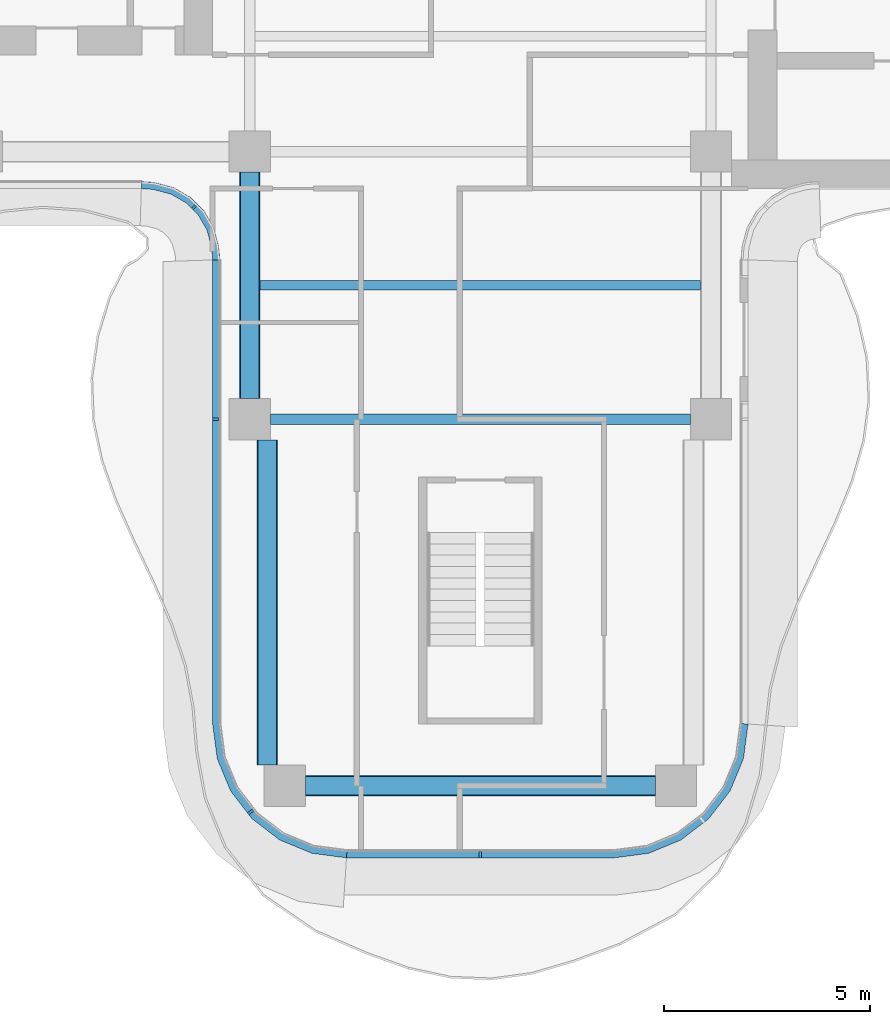
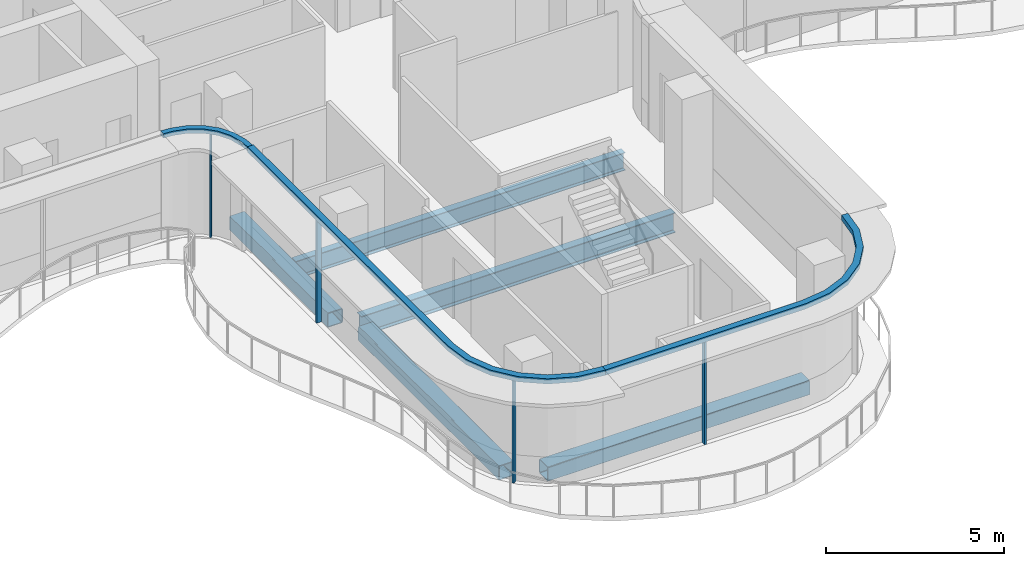
# One storey, part 2 of 17: 7 members, 5 beams, 3 elements without a shape of their own.
"""IFC4 building model written with IfcOpenShell, lengths in metres."""

import ifcopenshell
import ifcopenshell.guid

model = None  # the IFC model being written
_history = None  # IfcOwnerHistory: only IFC2X3 demands one
_inside = {}  # id of a spatial element -> (the spatial element, [elements in it])
_under = {}  # id of a project, library or spatial element -> (it, [spatial elements below it])
_declared = {}  # id of a project -> (the project, [libraries it declares])
_typed = {}  # id of a type object -> (the type object, [elements of that type])
_made_of = {}  # id of a material, layer set ... -> (it, [elements and type objects made of it])


def new_model(schema):
    """Start an empty IFC model of exactly this schema.

    Asked for "IFC4X3", IfcOpenShell would pick the latest addendum, in which some entities
    have other attributes; the version numbers below select the first issue.
    IFC2X3 requires an IfcOwnerHistory on every rooted entity: one is made here for all.
    """
    global model, _history
    if schema == "IFC4X3":
        model = ifcopenshell.file(schema_version=(4, 3, 0, 0))
    else:
        model = ifcopenshell.file(schema=schema)
    _inside.clear()
    _under.clear()
    _declared.clear()
    _typed.clear()
    _made_of.clear()
    _history = None
    if model.schema == "IFC2X3":
        org = make("IfcOrganization", Name="unknown")
        user = make(
            "IfcPersonAndOrganization",
            ThePerson=make("IfcPerson", FamilyName="unknown"),
            TheOrganization=org,
        )
        app = make(
            "IfcApplication",
            ApplicationDeveloper=org,
            Version="unknown",
            ApplicationFullName="unknown",
            ApplicationIdentifier="unknown",
        )
        _history = make(
            "IfcOwnerHistory",
            OwningUser=user,
            OwningApplication=app,
            ChangeAction="ADDED",
            CreationDate=0,
        )
    return model


def make(cls, **values):
    """One entity of the class cls with the attributes given. An attribute that is None is left unset."""
    return model.create_entity(
        cls, **{name: value for name, value in values.items() if value is not None}
    )


def rooted(cls, **values):
    """An entity with a GlobalId (a new one), such as an element, a storey or a relation."""
    return make(cls, GlobalId=ifcopenshell.guid.new(), OwnerHistory=_history, **values)


def si_unit(unit_type, name, prefix=None):
    """IfcSIUnit, for example si_unit("LENGTHUNIT", "METRE", prefix="MILLI")."""
    return make("IfcSIUnit", UnitType=unit_type, Prefix=prefix, Name=name)


def assignment(units):
    """IfcUnitAssignment: the units of a project."""
    return None if units is None else make("IfcUnitAssignment", Units=units)


def point(xyz):
    """IfcCartesianPoint."""
    return None if xyz is None else make("IfcCartesianPoint", Coordinates=xyz)


def direction(xyz):
    """IfcDirection."""
    return None if xyz is None else make("IfcDirection", DirectionRatios=xyz)


def frame(location, z_axis=None, x_axis=None):
    """IfcAxis2Placement3D, a coordinate frame: its origin and axes. An axis left out is left unset."""
    return make(
        "IfcAxis2Placement3D",
        Location=point(location),
        Axis=direction(z_axis),
        RefDirection=direction(x_axis),
    )


def frame_2d(location, x_axis=None):
    """IfcAxis2Placement2D, a coordinate frame in the plane: its origin and x axis."""
    return make(
        "IfcAxis2Placement2D", Location=point(location), RefDirection=direction(x_axis)
    )


def origin():
    """The frame at (0, 0, 0) with its axes left unset."""
    return frame((0.0, 0.0, 0.0))


def origin_2d():
    """The frame at (0, 0) in the plane with its x axis left unset."""
    return frame_2d((0.0, 0.0))


def place(relative_to, where):
    """IfcLocalPlacement: puts the frame where relative to a parent placement (None: the world)."""
    return make(
        "IfcLocalPlacement", PlacementRelTo=relative_to, RelativePlacement=where
    )


def context(
    kind, dimensions, precision=None, world=None, true_north=None, identifier=None
):
    """IfcGeometricRepresentationContext, for example the 3D "Model" context."""
    return make(
        "IfcGeometricRepresentationContext",
        ContextIdentifier=identifier,
        ContextType=kind,
        CoordinateSpaceDimension=dimensions,
        Precision=precision,
        WorldCoordinateSystem=world,
        TrueNorth=true_north,
    )


def subcontext(parent, identifier, kind, view, scale=None):
    """IfcGeometricRepresentationSubContext, for example "Body" below "Model"."""
    return make(
        "IfcGeometricRepresentationSubContext",
        ContextIdentifier=identifier,
        ContextType=kind,
        ParentContext=parent,
        TargetScale=scale,
        TargetView=view,
    )


def project(units=None, contexts=None):
    """IfcProject with its units and contexts."""
    return rooted(
        "IfcProject",
        Name="project",
        RepresentationContexts=contexts,
        UnitsInContext=assignment(units),
    )


def spatial(cls, under=None, at=None, **own):
    """A site, building, storey or space (cls), placed at a placement, below another one or the project."""
    s = rooted(cls, ObjectPlacement=at, **own)
    if under is not None:
        _under.setdefault(under.id(), (under, []))[1].append(s)
    return s


def polyline(points):
    """IfcPolyline through the points."""
    return make("IfcPolyline", Points=[point(p) for p in points])


def profile(cls, at=None, kind="AREA", **sizes):
    """A parametric profile (cls). Its sizes go by their IFC names, for example OverallWidth=200.0."""
    return make(cls, ProfileType=kind, Position=at, **sizes)


def rectangle(**sizes):
    """IfcRectangleProfileDef."""
    return profile("IfcRectangleProfileDef", **sizes)


def hollow_rectangle(**sizes):
    """IfcRectangleHollowProfileDef."""
    return profile("IfcRectangleHollowProfileDef", **sizes)


def i_section(**sizes):
    """IfcIShapeProfileDef."""
    return profile("IfcIShapeProfileDef", **sizes)


def outline(outer, holes=None, kind="AREA"):
    """IfcArbitraryClosedProfileDef: a profile drawn as a closed curve; with holes, ...WithVoids."""
    if holes is None:
        return make("IfcArbitraryClosedProfileDef", ProfileType=kind, OuterCurve=outer)
    return make(
        "IfcArbitraryProfileDefWithVoids",
        ProfileType=kind,
        OuterCurve=outer,
        InnerCurves=holes,
    )


def extrude(swept, where, along, depth):
    """IfcExtrudedAreaSolid: the profile swept, set in the frame where, extruded along a direction by depth."""
    return make(
        "IfcExtrudedAreaSolid",
        SweptArea=swept,
        Position=where,
        ExtrudedDirection=direction(along),
        Depth=depth,
    )


def shape(context_of_items, identifier, shape_type, items):
    """IfcShapeRepresentation: the items that make up one representation, for example the "Body"."""
    return make(
        "IfcShapeRepresentation",
        ContextOfItems=context_of_items,
        RepresentationIdentifier=identifier,
        RepresentationType=shape_type,
        Items=items,
    )


def source(mapping_origin, context_of_items, identifier, shape_type, items):
    """IfcRepresentationMap: a shape defined once, which mapped items show again and again."""
    return make(
        "IfcRepresentationMap",
        MappingOrigin=mapping_origin,
        MappedRepresentation=shape(context_of_items, identifier, shape_type, items),
    )


def transform(
    local_origin,
    x_axis=None,
    y_axis=None,
    z_axis=None,
    scale=None,
    scale2=None,
    scale3=None,
    uniform=True,
):
    """IfcCartesianTransformationOperator3D, or its non-uniform kind. x_axis, y_axis, z_axis: its Axis1, 2, 3."""
    if uniform:
        return make(
            "IfcCartesianTransformationOperator3D",
            Axis1=direction(x_axis),
            Axis2=direction(y_axis),
            LocalOrigin=point(local_origin),
            Scale=scale,
            Axis3=direction(z_axis),
        )
    return make(
        "IfcCartesianTransformationOperator3DnonUniform",
        Axis1=direction(x_axis),
        Axis2=direction(y_axis),
        LocalOrigin=point(local_origin),
        Scale=scale,
        Axis3=direction(z_axis),
        Scale2=scale2,
        Scale3=scale3,
    )


def mapped(mapping_source, mapping_target):
    """IfcMappedItem: shows the shape of a source again, moved by a transform."""
    return make(
        "IfcMappedItem", MappingSource=mapping_source, MappingTarget=mapping_target
    )


def material(Name=None, Category=None):
    """IfcMaterial."""
    return make("IfcMaterial", Name=Name, Category=Category)


def layer(
    of_material, thickness, ventilated=None, Name=None, Category=None, Priority=None
):
    """IfcMaterialLayer: one layer of a wall or slab, of a material (None: an air gap)."""
    return make(
        "IfcMaterialLayer",
        Material=of_material,
        LayerThickness=thickness,
        IsVentilated=ventilated,
        Name=Name,
        Category=Category,
        Priority=Priority,
    )


def layer_set(layers, Name=None):
    """IfcMaterialLayerSet."""
    return make("IfcMaterialLayerSet", MaterialLayers=layers, LayerSetName=Name)


def material_profile(
    of_material, cross_section, Name=None, Category=None, Priority=None
):
    """IfcMaterialProfile: a cross section and its material."""
    return make(
        "IfcMaterialProfile",
        Name=Name,
        Material=of_material,
        Profile=cross_section,
        Priority=Priority,
        Category=Category,
    )


def profile_set(profiles, Name=None, composite=None):
    """IfcMaterialProfileSet."""
    return make(
        "IfcMaterialProfileSet",
        Name=Name,
        MaterialProfiles=profiles,
        CompositeProfile=composite,
    )


def made_of(thing, what):
    """Note that an element or type object is made of a material, layer set ...; save() writes the relation."""
    if what is not None:
        _made_of.setdefault(what.id(), (what, []))[1].append(thing)
    return thing


def type_object(cls, material=None, **own):
    """A type object (cls), such as IfcWallType, which elements share."""
    return made_of(rooted(cls, **own), material)


def element(
    cls,
    number,
    at=None,
    inside=None,
    cuts=None,
    type_object=None,
    material=None,
    context=None,
    identifier="Body",
    shape_type=None,
    held_by="IfcProductDefinitionShape",
    body=None,
    shapes=None,
    **own,
):
    """One element of the class cls, such as IfcWall. Its Tag is "e" and its number.

    at: its placement. inside: the storey or other place that contains it. cuts: it is an
    opening in that element (IfcRelVoidsElement). A single representation is given by context,
    identifier, shape_type and body (its items); several are given by shapes. held_by: the class
    of the entity that holds the representations. save() writes the other relations.
    """
    e = rooted(cls, Tag="e%d" % number, ObjectPlacement=at, **own)
    if body is not None:
        shapes = [shape(context, identifier, shape_type, body)]
    if shapes is not None:
        e.Representation = make(held_by, Representations=shapes)
    if inside is not None:
        _inside.setdefault(inside.id(), (inside, []))[1].append(e)
    if cuts is not None:
        rooted(
            "IfcRelVoidsElement", RelatingBuildingElement=cuts, RelatedOpeningElement=e
        )
    if type_object is not None:
        _typed.setdefault(type_object.id(), (type_object, []))[1].append(e)
    return made_of(e, material)


def aggregate(whole, parts):
    """IfcRelAggregates: a whole, such as a stair, and the parts it consists of."""
    return rooted("IfcRelAggregates", RelatingObject=whole, RelatedObjects=parts)


def save(model, path):
    """Write the relations noted so far, then the file.

    IfcRelAggregates (storeys below a building ...), IfcRelContainedInSpatialStructure (elements
    in a storey), IfcRelDefinesByType, IfcRelAssociatesMaterial and IfcRelDeclares: one each for
    every whole, place, type object, material and project.
    """
    for whole, parts in _under.values():
        aggregate(whole, parts)
    for where, things in _inside.values():
        rooted(
            "IfcRelContainedInSpatialStructure",
            RelatedElements=things,
            RelatingStructure=where,
        )
    for kind, things in _typed.values():
        rooted("IfcRelDefinesByType", RelatedObjects=things, RelatingType=kind)
    for what, things in _made_of.values():
        rooted("IfcRelAssociatesMaterial", RelatedObjects=things, RelatingMaterial=what)
    for by, libraries in _declared.values():
        rooted("IfcRelDeclares", RelatingContext=by, RelatedDefinitions=libraries)
    model.write(path)


model = new_model("IFC4")

# Units and contexts
model_context = context("Model", 3, precision=1e-05, world=origin(), true_north=direction((0.0, 1.0)))
body_context = subcontext(model_context, "Body", "Model", "MODEL_VIEW")
ifc_project = project(units=[si_unit("LENGTHUNIT", "METRE"), si_unit("AREAUNIT", "SQUARE_METRE"), si_unit("VOLUMEUNIT", "CUBIC_METRE"), si_unit("PLANEANGLEUNIT", "RADIAN"), si_unit("MASSUNIT", "GRAM", prefix="KILO")], contexts=[model_context])

# Site, building, storey
site_placement = place(None, origin())
site = spatial("IfcSite", under=ifc_project, at=site_placement, CompositionType="ELEMENT")
building_placement = place(site_placement, origin())
building = spatial("IfcBuilding", under=site, at=building_placement, Name="Trellis Farm Tower", CompositionType="ELEMENT")
storey_placement = place(building_placement, frame((0.0, 0.0, 279.39990234375)))
storey = spatial("IfcBuildingStorey", under=building, at=storey_placement, Name="L62", CompositionType="ELEMENT", Elevation=279.39990234375)

# Beams
ifc_material_1 = material(Name="Steel S355", Category="steel")
ifc_material_profile_1 = material_profile(ifc_material_1, i_section(OverallWidth=0.22900390625, OverallDepth=0.6123046875, WebThickness=0.011962890625, FlangeThickness=0.01953125, FilletRadius=0.0126953125, at=origin_2d()), Name="UB 610x229x125")
ifc_profile_set_1 = profile_set([ifc_material_profile_1], Name="Steel S355")
beam_type_1 = type_object("IfcBeamType", Name="UB 610x229x125 joist", PredefinedType="JOIST", material=ifc_profile_set_1)
shared_shape_1 = source(origin(), body_context, "Body", "SweptSolid", [
    extrude(i_section(OverallWidth=0.22900390625, OverallDepth=0.6123046875, WebThickness=0.011962890625, FlangeThickness=0.01953125, FilletRadius=0.0126953125, at=origin_2d()), origin(), (0.0, 0.0, 1.0), 10.7001953125),
])
beam_1_placement = place(storey_placement, frame((-5.35009765625, -8.85009765625, -0.506103515625), z_axis=(1.0, 0.0, 0.0), x_axis=(0.0, 1.0, 0.0)))
element("IfcBeam", 1, at=beam_1_placement, inside=storey, type_object=beam_type_1, Name="Floor beam", PredefinedType="JOIST", context=body_context, shape_type="MappedRepresentation", body=[
    mapped(shared_shape_1, transform((0.0, 0.0, 0.0))),
])
ifc_material_profile_2 = material_profile(ifc_material_1, hollow_rectangle(XDim=0.5, YDim=0.5, WallThickness=0.02490234375, InnerFilletRadius=0.02490234375, OuterFilletRadius=0.03759765625, at=origin_2d()), Name="SHS 500x500x25")
ifc_profile_set_2 = profile_set([ifc_material_profile_2], Name="Steel S355")
beam_type_2 = type_object("IfcBeamType", Name="SHS 500x500x25", PredefinedType="BEAM", material=ifc_profile_set_2)
shared_shape_2 = source(origin(), body_context, "Body", "SweptSolid", [
    extrude(hollow_rectangle(XDim=0.5, YDim=0.5, WallThickness=0.02490234375, InnerFilletRadius=0.02490234375, OuterFilletRadius=0.03759765625, at=origin_2d()), origin(), (0.0, 0.0, 1.0), 5.5),
])
beam_2_placement = place(storey_placement, frame((-5.60009765625, -11.60009765625, -0.449951171875), z_axis=(0.0, 1.0, 0.0), x_axis=(-1.0, 0.0, 0.0)))
element("IfcBeam", 2, at=beam_2_placement, inside=storey, type_object=beam_type_2, Name="Girder", PredefinedType="BEAM", context=body_context, shape_type="MappedRepresentation", body=[
    mapped(shared_shape_2, transform((0.0, 0.0, 0.0))),
])
ifc_material_profile_3 = material_profile(ifc_material_1, i_section(OverallWidth=0.253662109375, OverallDepth=0.68359375, WebThickness=0.012451171875, FlangeThickness=0.021728515625, FilletRadius=0.01513671875, at=origin_2d()), Name="UB 686x254x140")
ifc_profile_set_3 = profile_set([ifc_material_profile_3], Name="Steel S355")
beam_type_3 = type_object("IfcBeamType", Name="UB 686x254x140", PredefinedType="BEAM", material=ifc_profile_set_3)
shared_shape_3 = source(origin(), body_context, "Body", "SweptSolid", [
    extrude(i_section(OverallWidth=0.253662109375, OverallDepth=0.68359375, WebThickness=0.012451171875, FlangeThickness=0.021728515625, FilletRadius=0.01513671875, at=origin_2d()), origin(), (0.0, 0.0, 1.0), 10.2001953125),
])
beam_3_placement = place(storey_placement, frame((-5.10009765625, -12.10009765625, -0.541748046875), z_axis=(1.0, 0.0, 0.0), x_axis=(0.0, 1.0, 0.0)))
element("IfcBeam", 3, at=beam_3_placement, inside=storey, type_object=beam_type_3, Name="Girder", PredefinedType="BEAM", context=body_context, shape_type="MappedRepresentation", body=[
    mapped(shared_shape_3, transform((0.0, 0.0, 0.0))),
])
shared_shape_4 = source(origin(), body_context, "Body", "SweptSolid", [
    extrude(hollow_rectangle(XDim=0.5, YDim=0.5, WallThickness=0.02490234375, InnerFilletRadius=0.02490234375, OuterFilletRadius=0.03759765625, at=origin_2d()), origin(), (0.0, 0.0, 1.0), 8.5),
])
beam_4_placement = place(storey_placement, frame((-4.25, -21.0, -0.449951171875), z_axis=(1.0, 0.0, 0.0), x_axis=(0.0, 1.0, 0.0)))
element("IfcBeam", 4, at=beam_4_placement, inside=storey, type_object=beam_type_2, Name="Girder", PredefinedType="BEAM", context=body_context, shape_type="MappedRepresentation", body=[
    mapped(shared_shape_4, transform((0.0, 0.0, 0.0))),
])
shared_shape_5 = source(origin(), body_context, "Body", "SweptSolid", [
    extrude(hollow_rectangle(XDim=0.5, YDim=0.5, WallThickness=0.02490234375, InnerFilletRadius=0.02490234375, OuterFilletRadius=0.03759765625, at=origin_2d()), origin(), (0.0, 0.0, 1.0), 7.89990234375),
])
beam_5_placement = place(storey_placement, frame((-5.175048828125, -20.5, -0.449951171875), z_axis=(0.0, 1.0, 0.0), x_axis=(-1.0, 0.0, 0.0)))
element("IfcBeam", 5, at=beam_5_placement, inside=storey, type_object=beam_type_2, Name="Girder", PredefinedType="BEAM", context=body_context, shape_type="MappedRepresentation", body=[
    mapped(shared_shape_5, transform((0.0, 0.0, 0.0))),
])

# Curtain wall, members
ifc_material_2 = material(Name="Aluminium and glass curtain wall", Category="aluminium")
ifc_layer_1 = layer(ifc_material_2, 0.18994140625)
ifc_layer_set_1 = layer_set([ifc_layer_1], Name="RIBBON CURTAIN WALL CW1")
curtain_wall_type_1 = type_object("IfcCurtainWallType", Name="RIBBON CURTAIN WALL CW1", PredefinedType="NOTDEFINED", material=ifc_layer_set_1)
placement_1 = place(storey_placement, origin())
curtain_wall_1 = element("IfcCurtainWall", 6, at=placement_1, inside=storey, type_object=curtain_wall_type_1, Name="CW1 002", PredefinedType="NOTDEFINED")
ifc_material_3 = material(Name="Aluminium extrusion 6063-T6", Category="aluminium")
ifc_material_profile_4 = material_profile(ifc_material_3, rectangle(XDim=0.06005859375, YDim=0.14990234375, at=origin_2d()), Name="MULLION 60x150")
ifc_profile_set_4 = profile_set([ifc_material_profile_4], Name="Aluminium extrusion 6063-T6")
member_type_1 = type_object("IfcMemberType", Name="CW1 MULLION 60x150", PredefinedType="MULLION", material=ifc_profile_set_4)
shared_shape_6 = source(origin(), body_context, "Body", "SweptSolid", [
    extrude(rectangle(XDim=0.06005859375, YDim=0.14990234375, at=origin_2d()), origin(), (0.0, 0.0, 1.0), 3.52001953125),
])
member_1_placement = place(storey_placement, frame((-6.425048828125, -12.10009765625, 0.0), z_axis=(0.0, 0.0, 1.0), x_axis=(0.0, -1.0, 0.0)))
member_1 = element("IfcMember", 7, at=member_1_placement, type_object=member_type_1, Name="MU1 002-01", PredefinedType="MULLION", context=body_context, shape_type="MappedRepresentation", body=[
    mapped(shared_shape_6, transform((0.0, 0.0, 0.0))),
])
member_2_placement = place(storey_placement, frame((-5.578369140625, -21.635498046875, 0.0), z_axis=(0.0, 0.0, 1.0), x_axis=(0.608761429009, -0.793353340291, 0.0)))
member_2 = element("IfcMember", 8, at=member_2_placement, type_object=member_type_1, Name="MU1 002-02", PredefinedType="MULLION", context=body_context, shape_type="MappedRepresentation", body=[
    mapped(shared_shape_6, transform((0.0, 0.0, 0.0))),
])

# Curtain wall, member
curtain_wall_2 = element("IfcCurtainWall", 9, at=placement_1, inside=storey, type_object=curtain_wall_type_1, Name="CW1 003", PredefinedType="NOTDEFINED")
member_3_placement = place(storey_placement, frame((0.0, -22.675048828125, 0.0), z_axis=(0.0, 0.0, 1.0), x_axis=(1.0, 0.0, 0.0)))
member_3 = element("IfcMember", 10, at=member_3_placement, type_object=member_type_1, Name="MU1 003-01", PredefinedType="MULLION", context=body_context, shape_type="MappedRepresentation", body=[
    mapped(shared_shape_6, transform((0.0, 0.0, 0.0))),
])

# Curtain wall, members
ifc_layer_2 = layer(ifc_material_2, 0.166015625)
ifc_layer_set_2 = layer_set([ifc_layer_2], Name="WINTER GARDEN CURTAIN WALL CW3")
curtain_wall_type_2 = type_object("IfcCurtainWallType", Name="WINTER GARDEN CURTAIN WALL CW3", PredefinedType="NOTDEFINED", material=ifc_layer_set_2)
curtain_wall_3 = element("IfcCurtainWall", 11, at=placement_1, inside=storey, type_object=curtain_wall_type_2, Name="CW3 001", PredefinedType="NOTDEFINED")
ifc_material_profile_5 = material_profile(ifc_material_3, rectangle(XDim=0.050048828125, YDim=0.1201171875, at=origin_2d()), Name="MULLION 50x120")
ifc_profile_set_5 = profile_set([ifc_material_profile_5], Name="Aluminium extrusion 6063-T6")
member_type_2 = type_object("IfcMemberType", Name="CW3 MULLION 50x120", PredefinedType="MULLION", material=ifc_profile_set_5)
shared_shape_7 = source(origin(), body_context, "Body", "SweptSolid", [
    extrude(rectangle(XDim=0.050048828125, YDim=0.1201171875, at=origin_2d()), origin(), (0.0, 0.0, 1.0), 3.550048828125),
])
member_4_placement = place(storey_placement, frame((-6.953125, -6.953125, 0.0), z_axis=(0.0, 0.0, 1.0), x_axis=(0.707106781187, -0.707106781187, 0.0)))
member_4 = element("IfcMember", 12, at=member_4_placement, type_object=member_type_2, Name="MU3 001-01", PredefinedType="MULLION", context=body_context, shape_type="MappedRepresentation", body=[
    mapped(shared_shape_7, transform((0.0, 0.0, 0.0))),
])
ifc_layer_3 = layer(ifc_material_3, 0.169921875)
ifc_layer_set_3 = layer_set([ifc_layer_3], Name="Aluminium extrusion 6063-T6")
member_type_3 = type_object("IfcMemberType", Name="CW3 TRANSOM 170x150", PredefinedType="USERDEFINED", material=ifc_layer_set_3)
shared_shape_8 = source(origin(), body_context, "Body", "SweptSolid", [
    extrude(outline(polyline([(-8.2314453125, -6.5), (-8.01953125, -6.513916015625), (-7.91552734375, -6.527587890625), (-7.508544921875, -6.63671875), (-7.144287109375, -6.846923828125), (-6.846923828125, -7.144287109375), (-6.63671875, -7.508544921875), (-6.527587890625, -7.91552734375), (-6.513916015625, -8.01953125), (-6.5, -8.2314453125), (-6.330078125, -8.225830078125), (-6.3447265625, -8.0029296875), (-6.360595703125, -7.88232421875), (-6.478271484375, -7.44287109375), (-6.7109375, -7.0400390625), (-7.0400390625, -6.7109375), (-7.44287109375, -6.478271484375), (-7.88232421875, -6.360595703125), (-8.0029296875, -6.3447265625), (-8.225830078125, -6.330078125), (-8.2314453125, -6.5)])), origin(), (0.0, 0.0, 1.0), 0.150146484375),
])
member_5_placement = place(storey_placement, frame((0.0, 0.0, 3.550048828125)))
member_5 = element("IfcMember", 13, at=member_5_placement, type_object=member_type_3, Name="TR3 001", ObjectType="TRANSOM", PredefinedType="USERDEFINED", context=body_context, shape_type="MappedRepresentation", body=[
    mapped(shared_shape_8, transform((0.0, 0.0, 0.0))),
])
aggregate(curtain_wall_3, [member_4, member_5])

# Member
ifc_layer_4 = layer(ifc_material_3, 0.199951171875)
ifc_layer_set_4 = layer_set([ifc_layer_4], Name="Aluminium extrusion 6063-T6")
member_type_4 = type_object("IfcMemberType", Name="CW1 TRANSOM 200x180", PredefinedType="USERDEFINED", material=ifc_layer_set_4)
shared_shape_9 = source(origin(), body_context, "Body", "SweptSolid", [
    extrude(outline(polyline([(-6.5, -8.2314453125), (-6.5, -19.5), (-6.38916015625, -20.341064453125), (-6.064697265625, -21.125), (-5.548095703125, -21.798095703125), (-4.875, -22.314697265625), (-4.091064453125, -22.63916015625), (-3.25, -22.75), (-3.23681640625, -22.550048828125), (-4.0390625, -22.4443359375), (-4.774169921875, -22.139892578125), (-5.405517578125, -21.655517578125), (-5.889892578125, -21.024169921875), (-6.1943359375, -20.2890625), (-6.300048828125, -19.48681640625), (-6.300048828125, -8.224853515625), (-6.5, -8.2314453125)])), origin(), (0.0, 0.0, 1.0), 0.18017578125),
])
placement_2 = place(storey_placement, frame((0.0, 0.0, 3.52001953125)))
member_6 = element("IfcMember", 14, at=placement_2, type_object=member_type_4, Name="TR1 002", ObjectType="TRANSOM", PredefinedType="USERDEFINED", context=body_context, shape_type="MappedRepresentation", body=[
    mapped(shared_shape_9, transform((0.0, 0.0, 0.0))),
])

aggregate(curtain_wall_1, [member_1, member_2, member_6])

shared_shape_10 = source(origin(), body_context, "Body", "SweptSolid", [
    extrude(outline(polyline([(-3.25, -22.75), (3.25, -22.75), (4.091064453125, -22.63916015625), (4.875, -22.314697265625), (5.548095703125, -21.798095703125), (6.064697265625, -21.125), (6.38916015625, -20.341064453125), (6.5, -19.5), (6.300048828125, -19.48681640625), (6.1943359375, -20.2890625), (5.889892578125, -21.024169921875), (5.405517578125, -21.655517578125), (4.774169921875, -22.139892578125), (4.0390625, -22.4443359375), (3.23681640625, -22.550048828125), (-3.23681640625, -22.550048828125), (-3.25, -22.75)])), origin(), (0.0, 0.0, 1.0), 0.18017578125),
])
member_7 = element("IfcMember", 15, at=placement_2, type_object=member_type_4, Name="TR1 003", ObjectType="TRANSOM", PredefinedType="USERDEFINED", context=body_context, shape_type="MappedRepresentation", body=[
    mapped(shared_shape_10, transform((0.0, 0.0, 0.0))),
])

aggregate(curtain_wall_2, [member_3, member_7])

save(model, "model.ifc")
